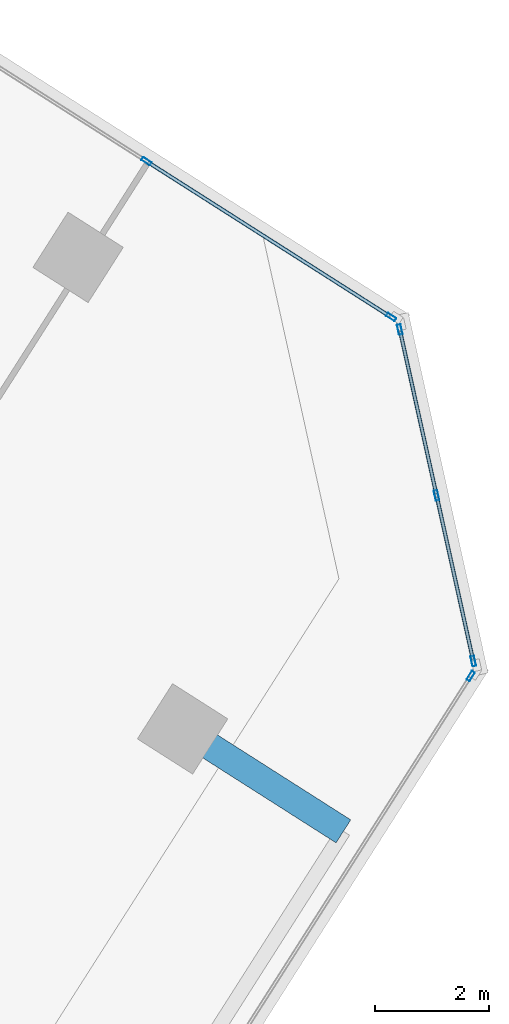
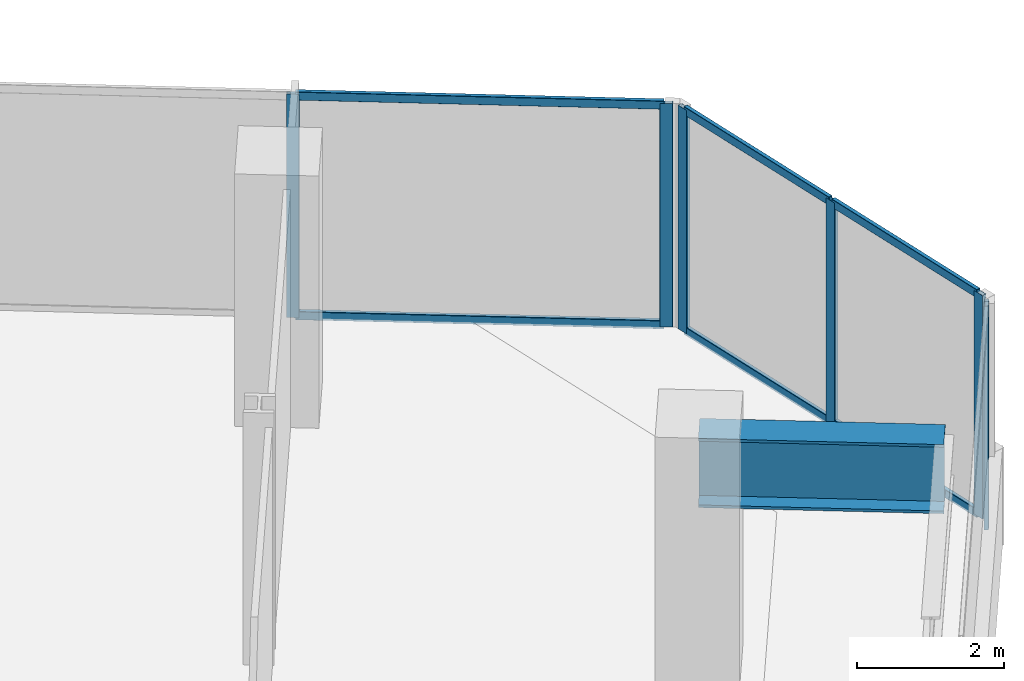
# One storey, part 11 of 23: 12 members, 1 beam, 3 elements without a shape of their own.
"""IFC4 building model written with IfcOpenShell, lengths in metres."""

from ifc_helpers import new_model, si_unit, direction, frame, origin, origin_2d, place, context, subcontext, project, spatial, hollow_rectangle, i_section, extrude, source, transform, mapped, material, material_profile, profile_set, type_object, element, aggregate, save


model = new_model("IFC4")

# Units and contexts
model_context = context("Model", 3, precision=1e-05, world=origin(), true_north=direction((0.0, 1.0)))
body_context = subcontext(model_context, "Body", "Model", "MODEL_VIEW")
ifc_project = project(units=[si_unit("LENGTHUNIT", "METRE"), si_unit("AREAUNIT", "SQUARE_METRE"), si_unit("VOLUMEUNIT", "CUBIC_METRE"), si_unit("PLANEANGLEUNIT", "RADIAN"), si_unit("MASSUNIT", "GRAM", prefix="KILO")], contexts=[model_context])

# Site, building, storey
site_placement = place(None, origin())
site = spatial("IfcSite", under=ifc_project, at=site_placement, CompositionType="ELEMENT")
building_placement = place(site_placement, origin())
building = spatial("IfcBuilding", under=site, at=building_placement, Name="Torre Montelarca", CompositionType="ELEMENT")
storey_placement = place(building_placement, frame((0.0, 0.0, 187.60009765625)))
storey = spatial("IfcBuildingStorey", under=building, at=storey_placement, Name="L42", CompositionType="ELEMENT", Elevation=187.60009765625)

# Beam
ifc_material_1 = material(Name="Steel ASTM A572 Grade 50", Category="steel")
ifc_material_profile_1 = material_profile(ifc_material_1, i_section(OverallWidth=0.47998046875, OverallDepth=1.14990234375, WebThickness=0.02197265625, FlangeThickness=0.044921875, at=origin_2d()), Name="PG1150X480X22X45", Category="steel")
ifc_profile_set_1 = profile_set([ifc_material_profile_1], Name="Steel ASTM A572 Grade 50")
beam_type = type_object("IfcBeamType", Name="BM-CG-PG1400-EXT", PredefinedType="USERDEFINED", material=ifc_profile_set_1)
shared_shape_1 = source(origin(), body_context, "Body", "SweptSolid", [
    extrude(i_section(OverallWidth=0.47998046875, OverallDepth=1.14990234375, WebThickness=0.02197265625, FlangeThickness=0.044921875, at=origin_2d()), origin(), (0.0, 0.0, 1.0), 3.35009765625),
])
beam_placement = place(storey_placement, frame((48.148193359375, 24.5087890625, 3.385009765625), z_axis=(0.843385307587, -0.537309243311, 0.0), x_axis=(0.537309243311, 0.843385307587, 0.0)))
element("IfcBeam", 1, at=beam_placement, inside=storey, type_object=beam_type, Name="L42 Sliding Tray Cantilever Girder East Y=40m (FLR)", ObjectType="CANTILEVER GIRDER", PredefinedType="USERDEFINED", context=body_context, shape_type="MappedRepresentation", body=[
    mapped(shared_shape_1, transform((0.0, 0.0, 0.0), scale=1.0)),
])

# Curtain wall, members
ifc_material_2 = material(Name="Insulated low-E laminated glass", Category="glass")
curtain_wall_type = type_object("IfcCurtainWallType", Name="CW-SYS-Z2", PredefinedType="USERDEFINED", material=ifc_material_2)
curtain_wall_1_placement = place(storey_placement, origin())
curtain_wall_1 = element("IfcCurtainWall", 2, at=curtain_wall_1_placement, inside=storey, type_object=curtain_wall_type, Name="L42 Curtain Wall Run CW-T3-L42-E07-B1", ObjectType="UNITISED GLAZING", PredefinedType="USERDEFINED")
ifc_material_3 = material(Name="Anodised aluminium AA 6063-T6", Category="aluminium")
ifc_material_profile_2 = material_profile(ifc_material_3, hollow_rectangle(XDim=0.06494140625, YDim=0.139892578125, WallThickness=0.00390625, InnerFilletRadius=0.00390625, OuterFilletRadius=0.008056640625, at=origin_2d()), Name="ALU65X140X4", Category="aluminium")
ifc_profile_set_2 = profile_set([ifc_material_profile_2], Name="Anodised aluminium AA 6063-T6")
member_type_1 = type_object("IfcMemberType", Name="CWT-ALU140", PredefinedType="USERDEFINED", material=ifc_profile_set_2)
shared_shape_2 = source(origin(), body_context, "Body", "SweptSolid", [
    extrude(hollow_rectangle(XDim=0.06494140625, YDim=0.139892578125, WallThickness=0.00390625, InnerFilletRadius=0.00390625, OuterFilletRadius=0.008056640625, at=origin_2d()), origin(), (0.0, 0.0, 1.0), 2.918701171875),
])
member_1_placement = place(storey_placement, frame((53.24853515625, 25.73095703125, 0.032470703125), z_axis=(-0.216390174906, 0.976306966176, 0.0), x_axis=(-0.976306966176, -0.216390174906, 0.0)))
member_1 = element("IfcMember", 3, at=member_1_placement, type_object=member_type_1, Name="CW transom 1.1", ObjectType="TRANSOM", PredefinedType="USERDEFINED", context=body_context, shape_type="MappedRepresentation", body=[
    mapped(shared_shape_2, transform((0.0, 0.0, 0.0), scale=1.0)),
])
member_2_placement = place(storey_placement, frame((53.24853515625, 25.73095703125, 3.6875), z_axis=(-0.216390174906, 0.976306966176, 0.0), x_axis=(-0.976306966176, -0.216390174906, 0.0)))
member_2 = element("IfcMember", 4, at=member_2_placement, type_object=member_type_1, Name="CW transom 1.2", ObjectType="TRANSOM", PredefinedType="USERDEFINED", context=body_context, shape_type="MappedRepresentation", body=[
    mapped(shared_shape_2, transform((0.0, 0.0, 0.0), scale=1.0)),
])
shared_shape_3 = source(origin(), body_context, "Body", "SweptSolid", [
    extrude(hollow_rectangle(XDim=0.06494140625, YDim=0.139892578125, WallThickness=0.00390625, InnerFilletRadius=0.00390625, OuterFilletRadius=0.008056640625, at=origin_2d()), origin(), (0.0, 0.0, 1.0), 2.91845703125),
])
member_3_placement = place(storey_placement, frame((52.602783203125, 28.64404296875, 0.032470703125), z_axis=(-0.216487579732, 0.976285372123, 0.0), x_axis=(-0.976285372123, -0.216487579732, 0.0)))
member_3 = element("IfcMember", 5, at=member_3_placement, type_object=member_type_1, Name="CW transom 2.1", ObjectType="TRANSOM", PredefinedType="USERDEFINED", context=body_context, shape_type="MappedRepresentation", body=[
    mapped(shared_shape_3, transform((0.0, 0.0, 0.0), scale=1.0)),
])
member_4_placement = place(storey_placement, frame((52.602783203125, 28.64404296875, 3.6875), z_axis=(-0.216487579732, 0.976285372123, 0.0), x_axis=(-0.976285372123, -0.216487579732, 0.0)))
member_4 = element("IfcMember", 6, at=member_4_placement, type_object=member_type_1, Name="CW transom 2.2", ObjectType="TRANSOM", PredefinedType="USERDEFINED", context=body_context, shape_type="MappedRepresentation", body=[
    mapped(shared_shape_3, transform((0.0, 0.0, 0.0), scale=1.0)),
])

# Curtain wall, member
curtain_wall_2_placement = place(storey_placement, origin())
curtain_wall_2 = element("IfcCurtainWall", 7, at=curtain_wall_2_placement, inside=storey, type_object=curtain_wall_type, Name="L42 Curtain Wall Run CW-T3-L42-E06-B1", ObjectType="UNITISED GLAZING", PredefinedType="USERDEFINED")
ifc_material_profile_3 = material_profile(ifc_material_3, hollow_rectangle(XDim=0.06494140625, YDim=0.179931640625, WallThickness=0.00390625, InnerFilletRadius=0.00390625, OuterFilletRadius=0.008056640625, at=origin_2d()), Name="ALU65X180X4", Category="aluminium")
ifc_profile_set_3 = profile_set([ifc_material_profile_3], Name="Anodised aluminium AA 6063-T6")
member_type_2 = type_object("IfcMemberType", Name="CWM-ALU180", PredefinedType="MULLION", material=ifc_profile_set_3)
shared_shape_4 = source(origin(), body_context, "Body", "SweptSolid", [
    extrude(hollow_rectangle(XDim=0.06494140625, YDim=0.179931640625, WallThickness=0.00390625, InnerFilletRadius=0.00390625, OuterFilletRadius=0.008056640625, at=origin_2d()), origin(), (0.0, 0.0, 1.0), 3.719970703125),
])
member_5_placement = place(storey_placement, frame((53.209228515625, 25.436279296875, 0.0), z_axis=(0.0, 0.0, 1.0), x_axis=(-0.843389039566, 0.53730338538, 0.0)))
member_5 = element("IfcMember", 8, at=member_5_placement, type_object=member_type_2, Name="CW mullion 3", PredefinedType="MULLION", context=body_context, shape_type="MappedRepresentation", body=[
    mapped(shared_shape_4, transform((0.0, 0.0, 0.0), scale=1.0)),
])
aggregate(curtain_wall_2, [member_5])

# Member
member_6_placement = place(storey_placement, frame((53.255615234375, 25.69921875, 0.0), z_axis=(0.0, 0.0, 1.0), x_axis=(-0.97629420471, -0.216447743923, 0.0)))
member_6 = element("IfcMember", 9, at=member_6_placement, type_object=member_type_2, Name="CW mullion 1", PredefinedType="MULLION", context=body_context, shape_type="MappedRepresentation", body=[
    mapped(shared_shape_4, transform((0.0, 0.0, 0.0), scale=1.0)),
])

member_7_placement = place(storey_placement, frame((52.60986328125, 28.6123046875, 0.0), z_axis=(0.0, 0.0, 1.0), x_axis=(-0.97629420471, -0.216447743923, 0.0)))
member_7 = element("IfcMember", 10, at=member_7_placement, type_object=member_type_2, Name="CW mullion 2", PredefinedType="MULLION", context=body_context, shape_type="MappedRepresentation", body=[
    mapped(shared_shape_4, transform((0.0, 0.0, 0.0), scale=1.0)),
])

member_8_placement = place(storey_placement, frame((51.964111328125, 31.525146484375, 0.0), z_axis=(0.0, 0.0, 1.0), x_axis=(-0.97629420471, -0.216447743923, 0.0)))
member_8 = element("IfcMember", 11, at=member_8_placement, type_object=member_type_2, Name="CW mullion 3", PredefinedType="MULLION", context=body_context, shape_type="MappedRepresentation", body=[
    mapped(shared_shape_4, transform((0.0, 0.0, 0.0), scale=1.0)),
])

aggregate(curtain_wall_1, [member_6, member_7, member_8, member_1, member_2, member_3, member_4])

# Curtain wall, members
curtain_wall_3_placement = place(storey_placement, origin())
curtain_wall_3 = element("IfcCurtainWall", 12, at=curtain_wall_3_placement, inside=storey, type_object=curtain_wall_type, Name="L42 Curtain Wall Run CW-T3-L42-E08-B1", ObjectType="UNITISED GLAZING", PredefinedType="USERDEFINED")
member_9_placement = place(storey_placement, frame((51.81103515625, 31.74365234375, 0.0), z_axis=(0.0, 0.0, 1.0), x_axis=(-0.537301360815, -0.843390329365, 0.0)))
member_9 = element("IfcMember", 13, at=member_9_placement, type_object=member_type_2, Name="CW mullion 1", PredefinedType="MULLION", context=body_context, shape_type="MappedRepresentation", body=[
    mapped(shared_shape_4, transform((0.0, 0.0, 0.0), scale=1.0)),
])
member_10_placement = place(storey_placement, frame((47.51416015625, 34.481201171875, 0.0), z_axis=(0.0, 0.0, 1.0), x_axis=(-0.537301360815, -0.843390329365, 0.0)))
member_10 = element("IfcMember", 14, at=member_10_placement, type_object=member_type_2, Name="CW mullion 2", PredefinedType="MULLION", context=body_context, shape_type="MappedRepresentation", body=[
    mapped(shared_shape_4, transform((0.0, 0.0, 0.0), scale=1.0)),
])
shared_shape_5 = source(origin(), body_context, "Body", "SweptSolid", [
    extrude(hollow_rectangle(XDim=0.06494140625, YDim=0.139892578125, WallThickness=0.00390625, InnerFilletRadius=0.00390625, OuterFilletRadius=0.008056640625, at=origin_2d()), origin(), (0.0, 0.0, 1.0), 5.029541015625),
])
member_11_placement = place(storey_placement, frame((51.78369140625, 31.76123046875, 0.032470703125), z_axis=(-0.843393552653, 0.537296301256, 0.0), x_axis=(-0.537296301256, -0.843393552653, 0.0)))
member_11 = element("IfcMember", 15, at=member_11_placement, type_object=member_type_1, Name="CW transom 1.1", ObjectType="TRANSOM", PredefinedType="USERDEFINED", context=body_context, shape_type="MappedRepresentation", body=[
    mapped(shared_shape_5, transform((0.0, 0.0, 0.0), scale=1.0)),
])
member_12_placement = place(storey_placement, frame((51.78369140625, 31.76123046875, 3.6875), z_axis=(-0.843393552653, 0.537296301256, 0.0), x_axis=(-0.537296301256, -0.843393552653, 0.0)))
member_12 = element("IfcMember", 16, at=member_12_placement, type_object=member_type_1, Name="CW transom 1.2", ObjectType="TRANSOM", PredefinedType="USERDEFINED", context=body_context, shape_type="MappedRepresentation", body=[
    mapped(shared_shape_5, transform((0.0, 0.0, 0.0), scale=1.0)),
])
aggregate(curtain_wall_3, [member_9, member_10, member_11, member_12])

save(model, "model.ifc")
